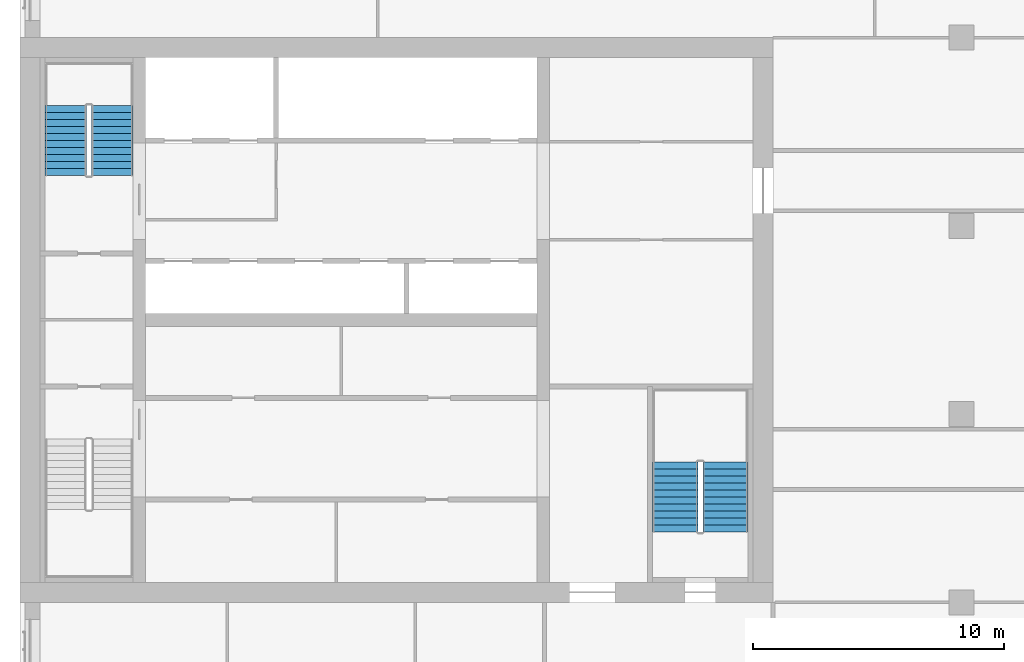
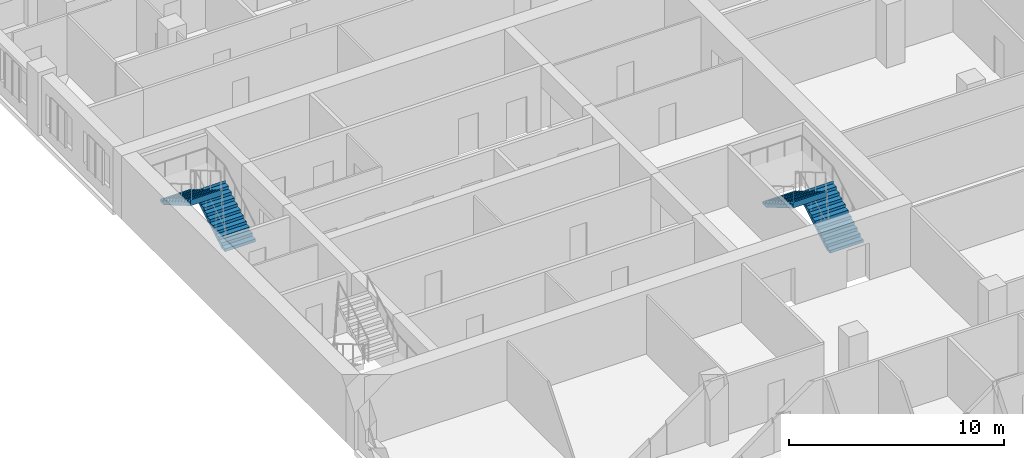
# One storey, part 12 of 13: 4 stair flights, 2 elements without a shape of their own.
"""IFC4 building model written with IfcOpenShell, lengths in metres."""

from ifc_helpers import new_model, si_unit, direction, frame, origin, place, context, subcontext, project, spatial, polyline, outline, extrude, material, type_object, element, aggregate, save


model = new_model("IFC4")

# Units and contexts
model_context = context("Model", 3, precision=1e-05, world=origin(), true_north=direction((0.0, 1.0)))
body_context = subcontext(model_context, "Body", "Model", "MODEL_VIEW")
ifc_project = project(units=[si_unit("LENGTHUNIT", "METRE"), si_unit("AREAUNIT", "SQUARE_METRE"), si_unit("VOLUMEUNIT", "CUBIC_METRE"), si_unit("PLANEANGLEUNIT", "RADIAN"), si_unit("MASSUNIT", "GRAM", prefix="KILO")], contexts=[model_context])

# Site, building, storey
site_placement = place(None, origin())
site = spatial("IfcSite", under=ifc_project, at=site_placement, CompositionType="ELEMENT")
building_placement = place(site_placement, origin())
building = spatial("IfcBuilding", under=site, at=building_placement, Name="Tamorin Gate", CompositionType="ELEMENT")
storey_placement = place(building_placement, frame((0.0, 0.0, 144.60009765625)))
storey = spatial("IfcBuildingStorey", under=building, at=storey_placement, Name="L35", CompositionType="ELEMENT", Elevation=144.60009765625)

# Stair, stair flights
ifc_material = material(Name="Concrete C40/50", Category="concrete")
stair_type = type_object("IfcStairType", Name="Exit stair", PredefinedType="HALF_TURN_STAIR", material=ifc_material)
stair_1_placement = place(storey_placement, origin())
stair_1 = element("IfcStair", 1, at=stair_1_placement, inside=storey, type_object=stair_type, Name="L35 stair ST2", PredefinedType="HALF_TURN_STAIR")
stair_flight_type = type_object("IfcStairFlightType", Name="Exit stair flight", PredefinedType="STRAIGHT", material=ifc_material)
stair_flight_1_placement = place(storey_placement, frame((33.675048828125, 77.0, 0.0), z_axis=(0.0, 0.0, 1.0), x_axis=(0.0, 1.0, 0.0)))
stair_flight_1 = element("IfcStairFlight", 2, at=stair_flight_1_placement, type_object=stair_flight_type, Name="ST2 flight 1", NumberOfRisers=11, NumberOfTreads=10, PredefinedType="STRAIGHT", RiserHeight=0.163636364, TreadLength=0.28, context=body_context, shape_type="SweptSolid", body=[
    extrude(outline(polyline([(-0.00048828125, 0.0), (-0.00048828125, 0.001708984375), (-0.00048828125, 0.003173828125), (-0.00048828125, 0.0048828125), (-0.00048828125, 0.006591796875), (-0.00048828125, 0.008056640625), (-0.00048828125, 0.009765625), (-0.00048828125, 0.01123046875), (-0.00048828125, 0.012939453125), (-0.00048828125, 0.0146484375), (-0.00048828125, 0.01611328125), (-0.00048828125, 0.017822265625), (-0.00048828125, 0.01953125), (-0.00048828125, 0.02099609375), (-0.00048828125, 0.022705078125), (-0.00048828125, 0.0244140625), (-0.00048828125, 0.02587890625), (-0.00048828125, 0.027587890625), (-0.00048828125, 0.029052734375), (-0.00048828125, 0.03076171875), (-0.00048828125, 0.032470703125), (-0.00048828125, 0.033935546875), (-0.00048828125, 0.03564453125), (-0.00048828125, 0.037353515625), (-0.00048828125, 0.038818359375), (-0.00048828125, 0.04052734375), (-0.00048828125, 0.042236328125), (-0.00048828125, 0.043701171875), (-0.00048828125, 0.04541015625), (-0.00048828125, 0.046875), (-0.00048828125, 0.048583984375), (-0.00048828125, 0.05029296875), (-0.00048828125, 0.0517578125), (-0.00048828125, 0.053466796875), (-0.00048828125, 0.05517578125), (-0.00048828125, 0.056640625), (-0.00048828125, 0.058349609375), (-0.00048828125, 0.06005859375), (-0.00048828125, 0.0615234375), (-0.00048828125, 0.063232421875), (-0.00048828125, 0.064697265625), (-0.00048828125, 0.06640625), (-0.00048828125, 0.068115234375), (-0.00048828125, 0.069580078125), (-0.00048828125, 0.0712890625), (-0.00048828125, 0.072998046875), (-0.00048828125, 0.074462890625), (-0.00048828125, 0.076171875), (-0.00048828125, 0.077880859375), (-0.00048828125, 0.079345703125), (-0.00048828125, 0.0810546875), (-0.00048828125, 0.08251953125), (-0.00048828125, 0.084228515625), (-0.00048828125, 0.0859375), (-0.00048828125, 0.08740234375), (-0.00048828125, 0.089111328125), (-0.00048828125, 0.0908203125), (-0.00048828125, 0.09228515625), (-0.00048828125, 0.093994140625), (-0.00048828125, 0.095703125), (-0.00048828125, 0.09716796875), (-0.00048828125, 0.098876953125), (-0.00048828125, 0.100341796875), (-0.00048828125, 0.10205078125), (-0.00048828125, 0.103759765625), (-0.00048828125, 0.105224609375), (-0.00048828125, 0.10693359375), (-0.00048828125, 0.108642578125), (-0.00048828125, 0.110107421875), (-0.00048828125, 0.11181640625), (-0.00048828125, 0.113525390625), (-0.00048828125, 0.114990234375), (-0.00048828125, 0.11669921875), (-0.00048828125, 0.1181640625), (-0.00048828125, 0.119873046875), (-0.00048828125, 0.12158203125), (-0.00048828125, 0.123046875), (-0.00048828125, 0.124755859375), (-0.00048828125, 0.12646484375), (-0.00048828125, 0.1279296875), (-0.00048828125, 0.129638671875), (-0.00048828125, 0.13134765625), (-0.00048828125, 0.1328125), (-0.00048828125, 0.134521484375), (-0.00048828125, 0.135986328125), (-0.00048828125, 0.1376953125), (-0.00048828125, 0.139404296875), (-0.00048828125, 0.140869140625), (-0.00048828125, 0.142578125), (-0.00048828125, 0.144287109375), (-0.00048828125, 0.145751953125), (-0.00048828125, 0.1474609375), (-0.00048828125, 0.149169921875), (-0.00048828125, 0.150634765625), (-0.00048828125, 0.15234375), (-0.00048828125, 0.15380859375), (-0.00048828125, 0.155517578125), (-0.00048828125, 0.1572265625), (-0.00048828125, 0.15869140625), (-0.00048828125, 0.160400390625), (-0.00048828125, 0.162109375), (-0.00048828125, 0.16357421875), (0.280029296875, 0.16357421875), (0.280029296875, 0.327392578125), (0.56005859375, 0.327392578125), (0.56005859375, 0.490966796875), (0.840087890625, 0.490966796875), (0.840087890625, 0.654541015625), (1.1201171875, 0.654541015625), (1.1201171875, 0.818115234375), (1.39990234375, 0.818115234375), (1.39990234375, 0.98193359375), (1.679931640625, 0.98193359375), (1.679931640625, 1.1455078125), (1.9599609375, 1.1455078125), (1.9599609375, 1.30908203125), (2.239990234375, 1.30908203125), (2.239990234375, 1.47265625), (2.52001953125, 1.47265625), (2.52001953125, 1.636474609375), (2.800048828125, 1.636474609375), (2.800048828125, 1.800048828125), (2.800537109375, 1.800048828125), (2.800537109375, 1.796630859375), (2.800537109375, 1.793212890625), (2.800537109375, 1.7900390625), (2.800537109375, 1.78662109375), (2.800537109375, 1.783203125), (2.800537109375, 1.780029296875), (2.800537109375, 1.776611328125), (2.800537109375, 1.773193359375), (2.800537109375, 1.77001953125), (2.800537109375, 1.7666015625), (2.800537109375, 1.76318359375), (2.800537109375, 1.760009765625), (2.800537109375, 1.756591796875), (2.800537109375, 1.753173828125), (2.800537109375, 1.75), (2.800537109375, 1.74658203125), (2.800537109375, 1.7431640625), (2.800537109375, 1.739990234375), (2.800537109375, 1.736572265625), (2.800537109375, 1.733154296875), (2.800537109375, 1.72998046875), (2.800537109375, 1.7265625), (2.800537109375, 1.72314453125), (2.800537109375, 1.719970703125), (2.800537109375, 1.716552734375), (2.800537109375, 1.713134765625), (2.800537109375, 1.7099609375), (2.800537109375, 1.70654296875), (2.800537109375, 1.703125), (2.800537109375, 1.69970703125), (2.800537109375, 1.696533203125), (2.800537109375, 1.693115234375), (2.800537109375, 1.689697265625), (2.800537109375, 1.6865234375), (2.800537109375, 1.68310546875), (2.800537109375, 1.6796875), (2.800537109375, 1.676513671875), (2.800537109375, 1.673095703125), (2.800537109375, 1.669677734375), (2.800537109375, 1.66650390625), (2.800537109375, 1.6630859375), (2.800537109375, 1.65966796875), (2.800537109375, 1.656494140625), (2.800537109375, 1.653076171875), (2.800537109375, 1.649658203125), (2.800537109375, 1.646484375), (2.800537109375, 1.64306640625), (2.800537109375, 1.6396484375), (2.800537109375, 1.636474609375), (2.800537109375, 1.633056640625), (2.800537109375, 1.629638671875), (2.800537109375, 1.62646484375), (2.800537109375, 1.623046875), (2.800537109375, 1.61962890625), (2.800537109375, 1.616455078125), (2.800537109375, 1.613037109375), (2.800537109375, 1.609619140625), (2.800537109375, 1.6064453125), (2.800537109375, 1.60302734375), (2.800537109375, 1.599609375), (2.800537109375, 1.59619140625), (2.800537109375, 1.593017578125), (2.800537109375, 1.589599609375), (2.800537109375, 1.586181640625), (2.800537109375, 1.5830078125), (2.800537109375, 1.57958984375), (2.800537109375, 1.576171875), (2.800537109375, 1.572998046875), (2.800537109375, 1.569580078125), (2.800537109375, 1.566162109375), (2.800537109375, 1.56298828125), (2.800537109375, 1.5595703125), (2.800537109375, 1.55615234375), (2.800537109375, 1.552978515625), (2.800537109375, 1.549560546875), (2.800537109375, 1.546142578125), (2.800537109375, 1.54296875), (2.800537109375, 1.53955078125), (2.800537109375, 1.5361328125), (2.800537109375, 1.532958984375), (2.800537109375, 1.529541015625), (2.800537109375, 1.526123046875), (2.800537109375, 1.52294921875), (2.800537109375, 1.51953125), (2.800537109375, 1.51611328125), (2.800537109375, 1.512939453125), (2.800537109375, 1.509521484375), (2.800537109375, 1.506103515625), (2.800537109375, 1.5029296875), (2.800537109375, 1.49951171875), (2.800537109375, 1.49609375), (2.800537109375, 1.49267578125), (2.800537109375, 1.489501953125), (2.800537109375, 1.486083984375), (2.800537109375, 1.482666015625), (2.800537109375, 1.4794921875), (2.800537109375, 1.47607421875), (2.800537109375, 1.47265625), (2.800537109375, 1.469482421875), (2.800537109375, 1.466064453125), (2.800537109375, 1.462646484375), (2.800048828125, 1.462646484375), (0.297119140625, 0.0), (-0.00048828125, 0.0)])), frame((0.0, 0.824951171875, 0.0), z_axis=(0.0, -1.0, 0.0), x_axis=(1.0, 0.0, 0.0)), (0.0, 0.0, 1.0), 1.64990234375),
])
stair_flight_2_placement = place(storey_placement, frame((31.824951171875, 79.800048828125, 1.7998046875), z_axis=(0.0, 0.0, 1.0), x_axis=(0.0, -1.0, 0.0)))
stair_flight_2 = element("IfcStairFlight", 3, at=stair_flight_2_placement, type_object=stair_flight_type, Name="ST2 flight 2", NumberOfRisers=11, NumberOfTreads=10, PredefinedType="STRAIGHT", RiserHeight=0.163636364, TreadLength=0.28, context=body_context, shape_type="SweptSolid", body=[
    extrude(outline(polyline([(-0.00048828125, 0.0), (-0.00048828125, 0.001708984375), (-0.00048828125, 0.003173828125), (-0.00048828125, 0.0048828125), (-0.00048828125, 0.006591796875), (-0.00048828125, 0.008056640625), (-0.00048828125, 0.009765625), (-0.00048828125, 0.01123046875), (-0.00048828125, 0.012939453125), (-0.00048828125, 0.0146484375), (-0.00048828125, 0.01611328125), (-0.00048828125, 0.017822265625), (-0.00048828125, 0.01953125), (-0.00048828125, 0.02099609375), (-0.00048828125, 0.022705078125), (-0.00048828125, 0.0244140625), (-0.00048828125, 0.02587890625), (-0.00048828125, 0.027587890625), (-0.00048828125, 0.029052734375), (-0.00048828125, 0.03076171875), (-0.00048828125, 0.032470703125), (-0.00048828125, 0.033935546875), (-0.00048828125, 0.03564453125), (-0.00048828125, 0.037353515625), (-0.00048828125, 0.038818359375), (-0.00048828125, 0.04052734375), (-0.00048828125, 0.042236328125), (-0.00048828125, 0.043701171875), (-0.00048828125, 0.04541015625), (-0.00048828125, 0.046875), (-0.00048828125, 0.048583984375), (-0.00048828125, 0.05029296875), (-0.00048828125, 0.0517578125), (-0.00048828125, 0.053466796875), (-0.00048828125, 0.05517578125), (-0.00048828125, 0.056640625), (-0.00048828125, 0.058349609375), (-0.00048828125, 0.06005859375), (-0.00048828125, 0.0615234375), (-0.00048828125, 0.063232421875), (-0.00048828125, 0.064697265625), (-0.00048828125, 0.06640625), (-0.00048828125, 0.068115234375), (-0.00048828125, 0.069580078125), (-0.00048828125, 0.0712890625), (-0.00048828125, 0.072998046875), (-0.00048828125, 0.074462890625), (-0.00048828125, 0.076171875), (-0.00048828125, 0.077880859375), (-0.00048828125, 0.079345703125), (-0.00048828125, 0.0810546875), (-0.00048828125, 0.08251953125), (-0.00048828125, 0.084228515625), (-0.00048828125, 0.0859375), (-0.00048828125, 0.08740234375), (-0.00048828125, 0.089111328125), (-0.00048828125, 0.0908203125), (-0.00048828125, 0.09228515625), (-0.00048828125, 0.093994140625), (-0.00048828125, 0.095703125), (-0.00048828125, 0.09716796875), (-0.00048828125, 0.098876953125), (-0.00048828125, 0.100341796875), (-0.00048828125, 0.10205078125), (-0.00048828125, 0.103759765625), (-0.00048828125, 0.105224609375), (-0.00048828125, 0.10693359375), (-0.00048828125, 0.108642578125), (-0.00048828125, 0.110107421875), (-0.00048828125, 0.11181640625), (-0.00048828125, 0.113525390625), (-0.00048828125, 0.114990234375), (-0.00048828125, 0.11669921875), (-0.00048828125, 0.1181640625), (-0.00048828125, 0.119873046875), (-0.00048828125, 0.12158203125), (-0.00048828125, 0.123046875), (-0.00048828125, 0.124755859375), (-0.00048828125, 0.12646484375), (-0.00048828125, 0.1279296875), (-0.00048828125, 0.129638671875), (-0.00048828125, 0.13134765625), (-0.00048828125, 0.1328125), (-0.00048828125, 0.134521484375), (-0.00048828125, 0.135986328125), (-0.00048828125, 0.1376953125), (-0.00048828125, 0.139404296875), (-0.00048828125, 0.140869140625), (-0.00048828125, 0.142578125), (-0.00048828125, 0.144287109375), (-0.00048828125, 0.145751953125), (-0.00048828125, 0.1474609375), (-0.00048828125, 0.149169921875), (-0.00048828125, 0.150634765625), (-0.00048828125, 0.15234375), (-0.00048828125, 0.15380859375), (-0.00048828125, 0.155517578125), (-0.00048828125, 0.1572265625), (-0.00048828125, 0.15869140625), (-0.00048828125, 0.160400390625), (-0.00048828125, 0.162109375), (-0.00048828125, 0.16357421875), (0.280029296875, 0.16357421875), (0.280029296875, 0.327392578125), (0.56005859375, 0.327392578125), (0.56005859375, 0.490966796875), (0.840087890625, 0.490966796875), (0.840087890625, 0.654541015625), (1.1201171875, 0.654541015625), (1.1201171875, 0.818115234375), (1.39990234375, 0.818115234375), (1.39990234375, 0.98193359375), (1.679931640625, 0.98193359375), (1.679931640625, 1.1455078125), (1.9599609375, 1.1455078125), (1.9599609375, 1.30908203125), (2.239990234375, 1.30908203125), (2.239990234375, 1.47265625), (2.52001953125, 1.47265625), (2.52001953125, 1.636474609375), (2.800048828125, 1.636474609375), (2.800048828125, 1.800048828125), (2.800537109375, 1.800048828125), (2.800537109375, 1.796630859375), (2.800537109375, 1.793212890625), (2.800537109375, 1.7900390625), (2.800537109375, 1.78662109375), (2.800537109375, 1.783203125), (2.800537109375, 1.780029296875), (2.800537109375, 1.776611328125), (2.800537109375, 1.773193359375), (2.800537109375, 1.77001953125), (2.800537109375, 1.7666015625), (2.800537109375, 1.76318359375), (2.800537109375, 1.760009765625), (2.800537109375, 1.756591796875), (2.800537109375, 1.753173828125), (2.800537109375, 1.75), (2.800537109375, 1.74658203125), (2.800537109375, 1.7431640625), (2.800537109375, 1.739990234375), (2.800537109375, 1.736572265625), (2.800537109375, 1.733154296875), (2.800537109375, 1.72998046875), (2.800537109375, 1.7265625), (2.800537109375, 1.72314453125), (2.800537109375, 1.719970703125), (2.800537109375, 1.716552734375), (2.800537109375, 1.713134765625), (2.800537109375, 1.7099609375), (2.800537109375, 1.70654296875), (2.800537109375, 1.703125), (2.800537109375, 1.69970703125), (2.800537109375, 1.696533203125), (2.800537109375, 1.693115234375), (2.800537109375, 1.689697265625), (2.800537109375, 1.6865234375), (2.800537109375, 1.68310546875), (2.800537109375, 1.6796875), (2.800537109375, 1.676513671875), (2.800537109375, 1.673095703125), (2.800537109375, 1.669677734375), (2.800537109375, 1.66650390625), (2.800537109375, 1.6630859375), (2.800537109375, 1.65966796875), (2.800537109375, 1.656494140625), (2.800537109375, 1.653076171875), (2.800537109375, 1.649658203125), (2.800537109375, 1.646484375), (2.800537109375, 1.64306640625), (2.800537109375, 1.6396484375), (2.800537109375, 1.636474609375), (2.800537109375, 1.633056640625), (2.800537109375, 1.629638671875), (2.800537109375, 1.62646484375), (2.800537109375, 1.623046875), (2.800537109375, 1.61962890625), (2.800537109375, 1.616455078125), (2.800537109375, 1.613037109375), (2.800537109375, 1.609619140625), (2.800537109375, 1.6064453125), (2.800537109375, 1.60302734375), (2.800537109375, 1.599609375), (2.800537109375, 1.59619140625), (2.800537109375, 1.593017578125), (2.800537109375, 1.589599609375), (2.800537109375, 1.586181640625), (2.800537109375, 1.5830078125), (2.800537109375, 1.57958984375), (2.800537109375, 1.576171875), (2.800537109375, 1.572998046875), (2.800537109375, 1.569580078125), (2.800537109375, 1.566162109375), (2.800537109375, 1.56298828125), (2.800537109375, 1.5595703125), (2.800537109375, 1.55615234375), (2.800537109375, 1.552978515625), (2.800537109375, 1.549560546875), (2.800537109375, 1.546142578125), (2.800537109375, 1.54296875), (2.800537109375, 1.53955078125), (2.800537109375, 1.5361328125), (2.800537109375, 1.532958984375), (2.800537109375, 1.529541015625), (2.800537109375, 1.526123046875), (2.800537109375, 1.52294921875), (2.800537109375, 1.51953125), (2.800537109375, 1.51611328125), (2.800537109375, 1.512939453125), (2.800537109375, 1.509521484375), (2.800537109375, 1.506103515625), (2.800537109375, 1.5029296875), (2.800537109375, 1.49951171875), (2.800537109375, 1.49609375), (2.800537109375, 1.49267578125), (2.800537109375, 1.489501953125), (2.800537109375, 1.486083984375), (2.800537109375, 1.482666015625), (2.800537109375, 1.4794921875), (2.800537109375, 1.47607421875), (2.800537109375, 1.47265625), (2.800537109375, 1.469482421875), (2.800537109375, 1.466064453125), (2.800537109375, 1.462646484375), (2.800048828125, 1.462646484375), (0.297119140625, 0.0), (-0.00048828125, 0.0)])), frame((0.0, 0.824951171875, 0.0), z_axis=(0.0, -1.0, 0.0), x_axis=(1.0, 0.0, 0.0)), (0.0, 0.0, 1.0), 1.64990234375),
])
aggregate(stair_1, [stair_flight_1, stair_flight_2])

stair_2_placement = place(storey_placement, origin())
stair_2 = element("IfcStair", 4, at=stair_2_placement, inside=storey, type_object=stair_type, Name="L35 stair ST3", PredefinedType="HALF_TURN_STAIR")
stair_flight_3_placement = place(storey_placement, frame((58.10009765625, 62.800048828125, 0.0), z_axis=(0.0, 0.0, 1.0), x_axis=(0.0, 1.0, 0.0)))
stair_flight_3 = element("IfcStairFlight", 5, at=stair_flight_3_placement, type_object=stair_flight_type, Name="ST3 flight 1", NumberOfRisers=11, NumberOfTreads=10, PredefinedType="STRAIGHT", RiserHeight=0.163636364, TreadLength=0.28, context=body_context, shape_type="SweptSolid", body=[
    extrude(outline(polyline([(-0.00048828125, 0.0), (-0.00048828125, 0.001708984375), (-0.00048828125, 0.003173828125), (-0.00048828125, 0.0048828125), (-0.00048828125, 0.006591796875), (-0.00048828125, 0.008056640625), (-0.00048828125, 0.009765625), (-0.00048828125, 0.01123046875), (-0.00048828125, 0.012939453125), (-0.00048828125, 0.0146484375), (-0.00048828125, 0.01611328125), (-0.00048828125, 0.017822265625), (-0.00048828125, 0.01953125), (-0.00048828125, 0.02099609375), (-0.00048828125, 0.022705078125), (-0.00048828125, 0.0244140625), (-0.00048828125, 0.02587890625), (-0.00048828125, 0.027587890625), (-0.00048828125, 0.029052734375), (-0.00048828125, 0.03076171875), (-0.00048828125, 0.032470703125), (-0.00048828125, 0.033935546875), (-0.00048828125, 0.03564453125), (-0.00048828125, 0.037353515625), (-0.00048828125, 0.038818359375), (-0.00048828125, 0.04052734375), (-0.00048828125, 0.042236328125), (-0.00048828125, 0.043701171875), (-0.00048828125, 0.04541015625), (-0.00048828125, 0.046875), (-0.00048828125, 0.048583984375), (-0.00048828125, 0.05029296875), (-0.00048828125, 0.0517578125), (-0.00048828125, 0.053466796875), (-0.00048828125, 0.05517578125), (-0.00048828125, 0.056640625), (-0.00048828125, 0.058349609375), (-0.00048828125, 0.06005859375), (-0.00048828125, 0.0615234375), (-0.00048828125, 0.063232421875), (-0.00048828125, 0.064697265625), (-0.00048828125, 0.06640625), (-0.00048828125, 0.068115234375), (-0.00048828125, 0.069580078125), (-0.00048828125, 0.0712890625), (-0.00048828125, 0.072998046875), (-0.00048828125, 0.074462890625), (-0.00048828125, 0.076171875), (-0.00048828125, 0.077880859375), (-0.00048828125, 0.079345703125), (-0.00048828125, 0.0810546875), (-0.00048828125, 0.08251953125), (-0.00048828125, 0.084228515625), (-0.00048828125, 0.0859375), (-0.00048828125, 0.08740234375), (-0.00048828125, 0.089111328125), (-0.00048828125, 0.0908203125), (-0.00048828125, 0.09228515625), (-0.00048828125, 0.093994140625), (-0.00048828125, 0.095703125), (-0.00048828125, 0.09716796875), (-0.00048828125, 0.098876953125), (-0.00048828125, 0.100341796875), (-0.00048828125, 0.10205078125), (-0.00048828125, 0.103759765625), (-0.00048828125, 0.105224609375), (-0.00048828125, 0.10693359375), (-0.00048828125, 0.108642578125), (-0.00048828125, 0.110107421875), (-0.00048828125, 0.11181640625), (-0.00048828125, 0.113525390625), (-0.00048828125, 0.114990234375), (-0.00048828125, 0.11669921875), (-0.00048828125, 0.1181640625), (-0.00048828125, 0.119873046875), (-0.00048828125, 0.12158203125), (-0.00048828125, 0.123046875), (-0.00048828125, 0.124755859375), (-0.00048828125, 0.12646484375), (-0.00048828125, 0.1279296875), (-0.00048828125, 0.129638671875), (-0.00048828125, 0.13134765625), (-0.00048828125, 0.1328125), (-0.00048828125, 0.134521484375), (-0.00048828125, 0.135986328125), (-0.00048828125, 0.1376953125), (-0.00048828125, 0.139404296875), (-0.00048828125, 0.140869140625), (-0.00048828125, 0.142578125), (-0.00048828125, 0.144287109375), (-0.00048828125, 0.145751953125), (-0.00048828125, 0.1474609375), (-0.00048828125, 0.149169921875), (-0.00048828125, 0.150634765625), (-0.00048828125, 0.15234375), (-0.00048828125, 0.15380859375), (-0.00048828125, 0.155517578125), (-0.00048828125, 0.1572265625), (-0.00048828125, 0.15869140625), (-0.00048828125, 0.160400390625), (-0.00048828125, 0.162109375), (-0.00048828125, 0.16357421875), (0.280029296875, 0.16357421875), (0.280029296875, 0.327392578125), (0.56005859375, 0.327392578125), (0.56005859375, 0.490966796875), (0.840087890625, 0.490966796875), (0.840087890625, 0.654541015625), (1.1201171875, 0.654541015625), (1.1201171875, 0.818115234375), (1.39990234375, 0.818115234375), (1.39990234375, 0.98193359375), (1.679931640625, 0.98193359375), (1.679931640625, 1.1455078125), (1.9599609375, 1.1455078125), (1.9599609375, 1.30908203125), (2.239990234375, 1.30908203125), (2.239990234375, 1.47265625), (2.52001953125, 1.47265625), (2.52001953125, 1.636474609375), (2.800048828125, 1.636474609375), (2.800048828125, 1.800048828125), (2.800537109375, 1.800048828125), (2.800537109375, 1.796630859375), (2.800537109375, 1.793212890625), (2.800537109375, 1.7900390625), (2.800537109375, 1.78662109375), (2.800537109375, 1.783203125), (2.800537109375, 1.780029296875), (2.800537109375, 1.776611328125), (2.800537109375, 1.773193359375), (2.800537109375, 1.77001953125), (2.800537109375, 1.7666015625), (2.800537109375, 1.76318359375), (2.800537109375, 1.760009765625), (2.800537109375, 1.756591796875), (2.800537109375, 1.753173828125), (2.800537109375, 1.75), (2.800537109375, 1.74658203125), (2.800537109375, 1.7431640625), (2.800537109375, 1.739990234375), (2.800537109375, 1.736572265625), (2.800537109375, 1.733154296875), (2.800537109375, 1.72998046875), (2.800537109375, 1.7265625), (2.800537109375, 1.72314453125), (2.800537109375, 1.719970703125), (2.800537109375, 1.716552734375), (2.800537109375, 1.713134765625), (2.800537109375, 1.7099609375), (2.800537109375, 1.70654296875), (2.800537109375, 1.703125), (2.800537109375, 1.69970703125), (2.800537109375, 1.696533203125), (2.800537109375, 1.693115234375), (2.800537109375, 1.689697265625), (2.800537109375, 1.6865234375), (2.800537109375, 1.68310546875), (2.800537109375, 1.6796875), (2.800537109375, 1.676513671875), (2.800537109375, 1.673095703125), (2.800537109375, 1.669677734375), (2.800537109375, 1.66650390625), (2.800537109375, 1.6630859375), (2.800537109375, 1.65966796875), (2.800537109375, 1.656494140625), (2.800537109375, 1.653076171875), (2.800537109375, 1.649658203125), (2.800537109375, 1.646484375), (2.800537109375, 1.64306640625), (2.800537109375, 1.6396484375), (2.800537109375, 1.636474609375), (2.800537109375, 1.633056640625), (2.800537109375, 1.629638671875), (2.800537109375, 1.62646484375), (2.800537109375, 1.623046875), (2.800537109375, 1.61962890625), (2.800537109375, 1.616455078125), (2.800537109375, 1.613037109375), (2.800537109375, 1.609619140625), (2.800537109375, 1.6064453125), (2.800537109375, 1.60302734375), (2.800537109375, 1.599609375), (2.800537109375, 1.59619140625), (2.800537109375, 1.593017578125), (2.800537109375, 1.589599609375), (2.800537109375, 1.586181640625), (2.800537109375, 1.5830078125), (2.800537109375, 1.57958984375), (2.800537109375, 1.576171875), (2.800537109375, 1.572998046875), (2.800537109375, 1.569580078125), (2.800537109375, 1.566162109375), (2.800537109375, 1.56298828125), (2.800537109375, 1.5595703125), (2.800537109375, 1.55615234375), (2.800537109375, 1.552978515625), (2.800537109375, 1.549560546875), (2.800537109375, 1.546142578125), (2.800537109375, 1.54296875), (2.800537109375, 1.53955078125), (2.800537109375, 1.5361328125), (2.800537109375, 1.532958984375), (2.800537109375, 1.529541015625), (2.800537109375, 1.526123046875), (2.800537109375, 1.52294921875), (2.800537109375, 1.51953125), (2.800537109375, 1.51611328125), (2.800537109375, 1.512939453125), (2.800537109375, 1.509521484375), (2.800537109375, 1.506103515625), (2.800537109375, 1.5029296875), (2.800537109375, 1.49951171875), (2.800537109375, 1.49609375), (2.800537109375, 1.49267578125), (2.800537109375, 1.489501953125), (2.800537109375, 1.486083984375), (2.800537109375, 1.482666015625), (2.800537109375, 1.4794921875), (2.800537109375, 1.47607421875), (2.800537109375, 1.47265625), (2.800537109375, 1.469482421875), (2.800537109375, 1.466064453125), (2.800537109375, 1.462646484375), (2.800048828125, 1.462646484375), (0.297119140625, 0.0), (-0.00048828125, 0.0)])), frame((0.0, 0.89990234375, 0.0), z_axis=(0.0, -1.0, 0.0), x_axis=(1.0, 0.0, 0.0)), (0.0, 0.0, 1.0), 1.800048828125),
])
stair_flight_4_placement = place(storey_placement, frame((56.10009765625, 65.60009765625, 1.7998046875), z_axis=(0.0, 0.0, 1.0), x_axis=(0.0, -1.0, 0.0)))
stair_flight_4 = element("IfcStairFlight", 6, at=stair_flight_4_placement, type_object=stair_flight_type, Name="ST3 flight 2", NumberOfRisers=11, NumberOfTreads=10, PredefinedType="STRAIGHT", RiserHeight=0.163636364, TreadLength=0.28, context=body_context, shape_type="SweptSolid", body=[
    extrude(outline(polyline([(-0.00048828125, 0.0), (-0.00048828125, 0.001708984375), (-0.00048828125, 0.003173828125), (-0.00048828125, 0.0048828125), (-0.00048828125, 0.006591796875), (-0.00048828125, 0.008056640625), (-0.00048828125, 0.009765625), (-0.00048828125, 0.01123046875), (-0.00048828125, 0.012939453125), (-0.00048828125, 0.0146484375), (-0.00048828125, 0.01611328125), (-0.00048828125, 0.017822265625), (-0.00048828125, 0.01953125), (-0.00048828125, 0.02099609375), (-0.00048828125, 0.022705078125), (-0.00048828125, 0.0244140625), (-0.00048828125, 0.02587890625), (-0.00048828125, 0.027587890625), (-0.00048828125, 0.029052734375), (-0.00048828125, 0.03076171875), (-0.00048828125, 0.032470703125), (-0.00048828125, 0.033935546875), (-0.00048828125, 0.03564453125), (-0.00048828125, 0.037353515625), (-0.00048828125, 0.038818359375), (-0.00048828125, 0.04052734375), (-0.00048828125, 0.042236328125), (-0.00048828125, 0.043701171875), (-0.00048828125, 0.04541015625), (-0.00048828125, 0.046875), (-0.00048828125, 0.048583984375), (-0.00048828125, 0.05029296875), (-0.00048828125, 0.0517578125), (-0.00048828125, 0.053466796875), (-0.00048828125, 0.05517578125), (-0.00048828125, 0.056640625), (-0.00048828125, 0.058349609375), (-0.00048828125, 0.06005859375), (-0.00048828125, 0.0615234375), (-0.00048828125, 0.063232421875), (-0.00048828125, 0.064697265625), (-0.00048828125, 0.06640625), (-0.00048828125, 0.068115234375), (-0.00048828125, 0.069580078125), (-0.00048828125, 0.0712890625), (-0.00048828125, 0.072998046875), (-0.00048828125, 0.074462890625), (-0.00048828125, 0.076171875), (-0.00048828125, 0.077880859375), (-0.00048828125, 0.079345703125), (-0.00048828125, 0.0810546875), (-0.00048828125, 0.08251953125), (-0.00048828125, 0.084228515625), (-0.00048828125, 0.0859375), (-0.00048828125, 0.08740234375), (-0.00048828125, 0.089111328125), (-0.00048828125, 0.0908203125), (-0.00048828125, 0.09228515625), (-0.00048828125, 0.093994140625), (-0.00048828125, 0.095703125), (-0.00048828125, 0.09716796875), (-0.00048828125, 0.098876953125), (-0.00048828125, 0.100341796875), (-0.00048828125, 0.10205078125), (-0.00048828125, 0.103759765625), (-0.00048828125, 0.105224609375), (-0.00048828125, 0.10693359375), (-0.00048828125, 0.108642578125), (-0.00048828125, 0.110107421875), (-0.00048828125, 0.11181640625), (-0.00048828125, 0.113525390625), (-0.00048828125, 0.114990234375), (-0.00048828125, 0.11669921875), (-0.00048828125, 0.1181640625), (-0.00048828125, 0.119873046875), (-0.00048828125, 0.12158203125), (-0.00048828125, 0.123046875), (-0.00048828125, 0.124755859375), (-0.00048828125, 0.12646484375), (-0.00048828125, 0.1279296875), (-0.00048828125, 0.129638671875), (-0.00048828125, 0.13134765625), (-0.00048828125, 0.1328125), (-0.00048828125, 0.134521484375), (-0.00048828125, 0.135986328125), (-0.00048828125, 0.1376953125), (-0.00048828125, 0.139404296875), (-0.00048828125, 0.140869140625), (-0.00048828125, 0.142578125), (-0.00048828125, 0.144287109375), (-0.00048828125, 0.145751953125), (-0.00048828125, 0.1474609375), (-0.00048828125, 0.149169921875), (-0.00048828125, 0.150634765625), (-0.00048828125, 0.15234375), (-0.00048828125, 0.15380859375), (-0.00048828125, 0.155517578125), (-0.00048828125, 0.1572265625), (-0.00048828125, 0.15869140625), (-0.00048828125, 0.160400390625), (-0.00048828125, 0.162109375), (-0.00048828125, 0.16357421875), (0.280029296875, 0.16357421875), (0.280029296875, 0.327392578125), (0.56005859375, 0.327392578125), (0.56005859375, 0.490966796875), (0.840087890625, 0.490966796875), (0.840087890625, 0.654541015625), (1.1201171875, 0.654541015625), (1.1201171875, 0.818115234375), (1.39990234375, 0.818115234375), (1.39990234375, 0.98193359375), (1.679931640625, 0.98193359375), (1.679931640625, 1.1455078125), (1.9599609375, 1.1455078125), (1.9599609375, 1.30908203125), (2.239990234375, 1.30908203125), (2.239990234375, 1.47265625), (2.52001953125, 1.47265625), (2.52001953125, 1.636474609375), (2.800048828125, 1.636474609375), (2.800048828125, 1.800048828125), (2.800537109375, 1.800048828125), (2.800537109375, 1.796630859375), (2.800537109375, 1.793212890625), (2.800537109375, 1.7900390625), (2.800537109375, 1.78662109375), (2.800537109375, 1.783203125), (2.800537109375, 1.780029296875), (2.800537109375, 1.776611328125), (2.800537109375, 1.773193359375), (2.800537109375, 1.77001953125), (2.800537109375, 1.7666015625), (2.800537109375, 1.76318359375), (2.800537109375, 1.760009765625), (2.800537109375, 1.756591796875), (2.800537109375, 1.753173828125), (2.800537109375, 1.75), (2.800537109375, 1.74658203125), (2.800537109375, 1.7431640625), (2.800537109375, 1.739990234375), (2.800537109375, 1.736572265625), (2.800537109375, 1.733154296875), (2.800537109375, 1.72998046875), (2.800537109375, 1.7265625), (2.800537109375, 1.72314453125), (2.800537109375, 1.719970703125), (2.800537109375, 1.716552734375), (2.800537109375, 1.713134765625), (2.800537109375, 1.7099609375), (2.800537109375, 1.70654296875), (2.800537109375, 1.703125), (2.800537109375, 1.69970703125), (2.800537109375, 1.696533203125), (2.800537109375, 1.693115234375), (2.800537109375, 1.689697265625), (2.800537109375, 1.6865234375), (2.800537109375, 1.68310546875), (2.800537109375, 1.6796875), (2.800537109375, 1.676513671875), (2.800537109375, 1.673095703125), (2.800537109375, 1.669677734375), (2.800537109375, 1.66650390625), (2.800537109375, 1.6630859375), (2.800537109375, 1.65966796875), (2.800537109375, 1.656494140625), (2.800537109375, 1.653076171875), (2.800537109375, 1.649658203125), (2.800537109375, 1.646484375), (2.800537109375, 1.64306640625), (2.800537109375, 1.6396484375), (2.800537109375, 1.636474609375), (2.800537109375, 1.633056640625), (2.800537109375, 1.629638671875), (2.800537109375, 1.62646484375), (2.800537109375, 1.623046875), (2.800537109375, 1.61962890625), (2.800537109375, 1.616455078125), (2.800537109375, 1.613037109375), (2.800537109375, 1.609619140625), (2.800537109375, 1.6064453125), (2.800537109375, 1.60302734375), (2.800537109375, 1.599609375), (2.800537109375, 1.59619140625), (2.800537109375, 1.593017578125), (2.800537109375, 1.589599609375), (2.800537109375, 1.586181640625), (2.800537109375, 1.5830078125), (2.800537109375, 1.57958984375), (2.800537109375, 1.576171875), (2.800537109375, 1.572998046875), (2.800537109375, 1.569580078125), (2.800537109375, 1.566162109375), (2.800537109375, 1.56298828125), (2.800537109375, 1.5595703125), (2.800537109375, 1.55615234375), (2.800537109375, 1.552978515625), (2.800537109375, 1.549560546875), (2.800537109375, 1.546142578125), (2.800537109375, 1.54296875), (2.800537109375, 1.53955078125), (2.800537109375, 1.5361328125), (2.800537109375, 1.532958984375), (2.800537109375, 1.529541015625), (2.800537109375, 1.526123046875), (2.800537109375, 1.52294921875), (2.800537109375, 1.51953125), (2.800537109375, 1.51611328125), (2.800537109375, 1.512939453125), (2.800537109375, 1.509521484375), (2.800537109375, 1.506103515625), (2.800537109375, 1.5029296875), (2.800537109375, 1.49951171875), (2.800537109375, 1.49609375), (2.800537109375, 1.49267578125), (2.800537109375, 1.489501953125), (2.800537109375, 1.486083984375), (2.800537109375, 1.482666015625), (2.800537109375, 1.4794921875), (2.800537109375, 1.47607421875), (2.800537109375, 1.47265625), (2.800537109375, 1.469482421875), (2.800537109375, 1.466064453125), (2.800537109375, 1.462646484375), (2.800048828125, 1.462646484375), (0.297119140625, 0.0), (-0.00048828125, 0.0)])), frame((0.0, 0.89990234375, 0.0), z_axis=(0.0, -1.0, 0.0), x_axis=(1.0, 0.0, 0.0)), (0.0, 0.0, 1.0), 1.800048828125),
])
aggregate(stair_2, [stair_flight_3, stair_flight_4])

save(model, "model.ifc")
